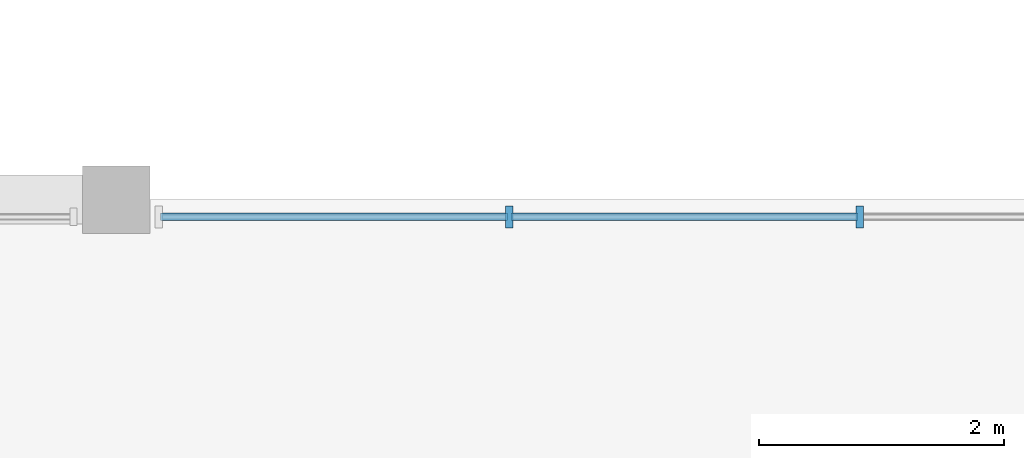
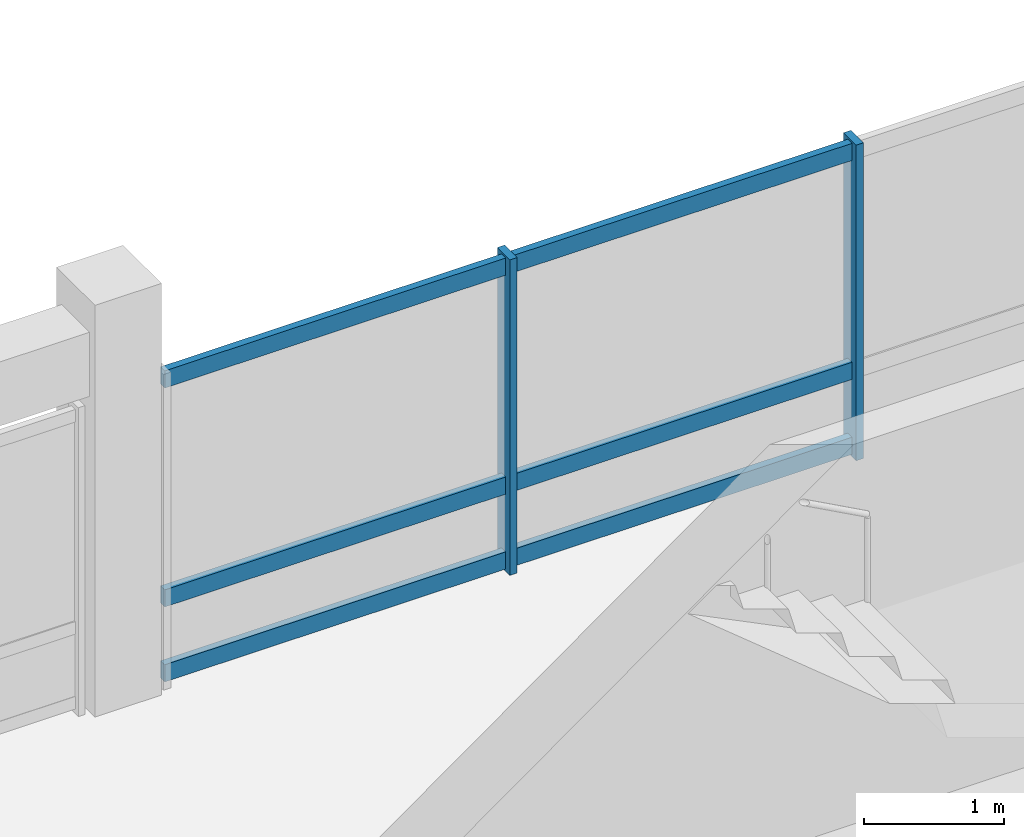
# One storey, part 9 of 74: 8 members, 1 element without a shape of its own.
"""IFC4 building model written with IfcOpenShell, lengths in metres."""

from ifc_helpers import new_model, si_unit, direction, frame, origin, origin_2d, place, context, subcontext, project, spatial, rectangle, extrude, material, material_profile, profile_set, type_object, element, aggregate, save


model = new_model("IFC4")

# Units and contexts
model_context = context("Model", 3, precision=1e-05, world=origin(), true_north=direction((0.0, 1.0)))
body_context = subcontext(model_context, "Body", "Model", "MODEL_VIEW")
ifc_project = project(units=[si_unit("LENGTHUNIT", "METRE"), si_unit("AREAUNIT", "SQUARE_METRE"), si_unit("VOLUMEUNIT", "CUBIC_METRE"), si_unit("PLANEANGLEUNIT", "RADIAN"), si_unit("MASSUNIT", "GRAM", prefix="KILO")], contexts=[model_context])

# Site, building, storey
site_placement = place(None, origin())
site = spatial("IfcSite", under=ifc_project, at=site_placement, CompositionType="ELEMENT")
building_placement = place(site_placement, origin())
building = spatial("IfcBuilding", under=site, at=building_placement, Name="Clarverna Civic Hall", CompositionType="ELEMENT")
storey_placement = place(building_placement, frame((0.0, 0.0, 9.60009765625)))
storey = spatial("IfcBuildingStorey", under=building, at=storey_placement, Name="L02", CompositionType="ELEMENT", Elevation=9.60009765625)

# Curtain wall, members
ifc_material = material(Name="Anodised Bronze Architectural Aluminium", Category="aluminium")
curtain_wall_type = type_object("IfcCurtainWallType", Name="CW-01", PredefinedType="USERDEFINED", material=ifc_material)
curtain_wall_placement = place(storey_placement, origin())
curtain_wall = element("IfcCurtainWall", 1, at=curtain_wall_placement, inside=storey, type_object=curtain_wall_type, Name="CW-01-062", ObjectType="UNITISED CURTAIN WALL", PredefinedType="USERDEFINED")
ifc_material_profile_1 = material_profile(ifc_material, rectangle(XDim=0.06005859375, YDim=0.179931640625, at=origin_2d()), Name="BRONZE 60x180")
ifc_profile_set_1 = profile_set([ifc_material_profile_1], Name="Anodised Bronze Architectural Aluminium")
member_type_1 = type_object("IfcMemberType", Name="CWM-01", PredefinedType="MULLION", material=ifc_profile_set_1)
member_1_placement = place(storey_placement, frame((60.812744140625, 13.860107421875, 0.0), z_axis=(0.0, 0.0, 1.0), x_axis=(1.0, 0.0, 0.0)))
member_1 = element("IfcMember", 2, at=member_1_placement, type_object=member_type_1, Name="CWM-01-114", PredefinedType="MULLION", context=body_context, shape_type="SweptSolid", body=[
    extrude(rectangle(XDim=0.06005859375, YDim=0.179931640625, at=origin_2d()), origin(), (0.0, 0.0, 1.0), 2.760009765625),
])
member_2_placement = place(storey_placement, frame((63.67724609375, 13.860107421875, 0.0), z_axis=(0.0, 0.0, 1.0), x_axis=(1.0, 0.0, 0.0)))
member_2 = element("IfcMember", 3, at=member_2_placement, type_object=member_type_1, Name="CWM-01-115", PredefinedType="MULLION", context=body_context, shape_type="SweptSolid", body=[
    extrude(rectangle(XDim=0.06005859375, YDim=0.179931640625, at=origin_2d()), origin(), (0.0, 0.0, 1.0), 2.760009765625),
])
ifc_material_profile_2 = material_profile(ifc_material, rectangle(XDim=0.06005859375, YDim=0.14990234375, at=origin_2d()), Name="BRONZE 60x150")
ifc_profile_set_2 = profile_set([ifc_material_profile_2], Name="Anodised Bronze Architectural Aluminium")
member_type_2 = type_object("IfcMemberType", Name="CWT-01", PredefinedType="USERDEFINED", material=ifc_profile_set_2)
member_3_placement = place(storey_placement, frame((57.962890625, 13.860107421875, 0.094970703125), z_axis=(1.0, 0.0, 0.0), x_axis=(0.0, 1.0, 0.0)))
member_3 = element("IfcMember", 4, at=member_3_placement, type_object=member_type_2, Name="CWT-01-238", ObjectType="TRANSOM", PredefinedType="USERDEFINED", context=body_context, shape_type="SweptSolid", body=[
    extrude(rectangle(XDim=0.06005859375, YDim=0.14990234375, at=origin_2d()), origin(), (0.0, 0.0, 1.0), 2.834716796875),
])
member_4_placement = place(storey_placement, frame((57.962890625, 13.860107421875, 0.75), z_axis=(1.0, 0.0, 0.0), x_axis=(0.0, 1.0, 0.0)))
member_4 = element("IfcMember", 5, at=member_4_placement, type_object=member_type_2, Name="CWT-01-239", ObjectType="TRANSOM", PredefinedType="USERDEFINED", context=body_context, shape_type="SweptSolid", body=[
    extrude(rectangle(XDim=0.06005859375, YDim=0.14990234375, at=origin_2d()), origin(), (0.0, 0.0, 1.0), 2.834716796875),
])
member_5_placement = place(storey_placement, frame((57.962890625, 13.860107421875, 2.664794921875), z_axis=(1.0, 0.0, 0.0), x_axis=(0.0, 1.0, 0.0)))
member_5 = element("IfcMember", 6, at=member_5_placement, type_object=member_type_2, Name="CWT-01-240", ObjectType="TRANSOM", PredefinedType="USERDEFINED", context=body_context, shape_type="SweptSolid", body=[
    extrude(rectangle(XDim=0.06005859375, YDim=0.14990234375, at=origin_2d()), origin(), (0.0, 0.0, 1.0), 2.834716796875),
])
member_6_placement = place(storey_placement, frame((60.82763671875, 13.860107421875, 0.094970703125), z_axis=(1.0, 0.0, 0.0), x_axis=(0.0, 1.0, 0.0)))
member_6 = element("IfcMember", 7, at=member_6_placement, type_object=member_type_2, Name="CWT-01-241", ObjectType="TRANSOM", PredefinedType="USERDEFINED", context=body_context, shape_type="SweptSolid", body=[
    extrude(rectangle(XDim=0.06005859375, YDim=0.14990234375, at=origin_2d()), origin(), (0.0, 0.0, 1.0), 2.834716796875),
])
member_7_placement = place(storey_placement, frame((60.82763671875, 13.860107421875, 0.75), z_axis=(1.0, 0.0, 0.0), x_axis=(0.0, 1.0, 0.0)))
member_7 = element("IfcMember", 8, at=member_7_placement, type_object=member_type_2, Name="CWT-01-242", ObjectType="TRANSOM", PredefinedType="USERDEFINED", context=body_context, shape_type="SweptSolid", body=[
    extrude(rectangle(XDim=0.06005859375, YDim=0.14990234375, at=origin_2d()), origin(), (0.0, 0.0, 1.0), 2.834716796875),
])
member_8_placement = place(storey_placement, frame((60.82763671875, 13.860107421875, 2.664794921875), z_axis=(1.0, 0.0, 0.0), x_axis=(0.0, 1.0, 0.0)))
member_8 = element("IfcMember", 9, at=member_8_placement, type_object=member_type_2, Name="CWT-01-243", ObjectType="TRANSOM", PredefinedType="USERDEFINED", context=body_context, shape_type="SweptSolid", body=[
    extrude(rectangle(XDim=0.06005859375, YDim=0.14990234375, at=origin_2d()), origin(), (0.0, 0.0, 1.0), 2.834716796875),
])
aggregate(curtain_wall, [member_1, member_2, member_3, member_4, member_5, member_6, member_7, member_8])

save(model, "model.ifc")
